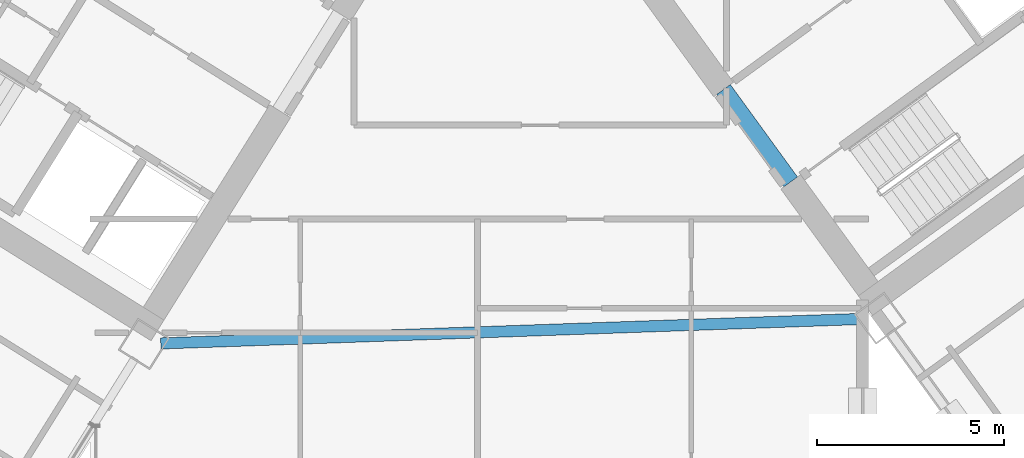
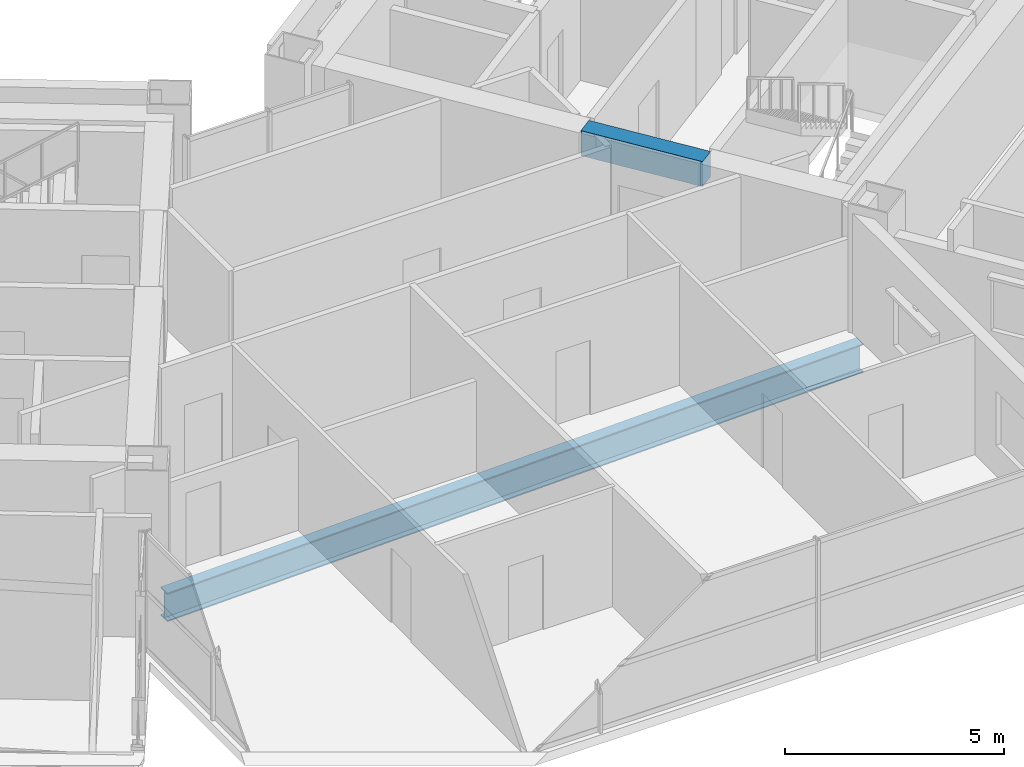
# One storey, part 8 of 25: 2 beams.
"""IFC4 building model written with IfcOpenShell, lengths in metres."""

from ifc_helpers import new_model, si_unit, direction, frame, origin, origin_2d, place, context, subcontext, project, spatial, rectangle, i_section, extrude, source, transform, mapped, material, material_profile, profile_set, type_object, element, save


model = new_model("IFC4")

# Units and contexts
model_context = context("Model", 3, precision=1e-05, world=origin(), true_north=direction((0.0, 1.0)))
body_context = subcontext(model_context, "Body", "Model", "MODEL_VIEW")
ifc_project = project(units=[si_unit("LENGTHUNIT", "METRE"), si_unit("AREAUNIT", "SQUARE_METRE"), si_unit("VOLUMEUNIT", "CUBIC_METRE"), si_unit("PLANEANGLEUNIT", "RADIAN"), si_unit("MASSUNIT", "GRAM", prefix="KILO")], contexts=[model_context])

# Site, building, storey
site_placement = place(None, origin())
site = spatial("IfcSite", under=ifc_project, at=site_placement, CompositionType="ELEMENT")
building_placement = place(site_placement, origin())
building = spatial("IfcBuilding", under=site, at=building_placement, Name="Tlacorven Tower", CompositionType="ELEMENT")
storey_placement = place(building_placement, frame((0.0, 0.0, 52.800048828125)))
storey = spatial("IfcBuildingStorey", under=building, at=storey_placement, Name="L13", CompositionType="ELEMENT", Elevation=52.800048828125)

# Beams
ifc_material_1 = material(Name="Concrete C60/75", Category="concrete")
ifc_material_profile_1 = material_profile(ifc_material_1, rectangle(XDim=0.449951171875, YDim=0.699951171875, at=origin_2d()), Name="RC 450X700")
ifc_profile_set_1 = profile_set([ifc_material_profile_1], Name="Concrete C60/75")
beam_type_1 = type_object("IfcBeamType", Name="BM-LNT-700", PredefinedType="LINTEL", material=ifc_profile_set_1)
shared_shape_1 = source(origin(), body_context, "Body", "SweptSolid", [
    extrude(rectangle(XDim=0.449951171875, YDim=0.699951171875, at=origin_2d()), origin(), (0.0, 0.0, 1.0), 3.050048828125),
])
beam_1_placement = place(storey_placement, frame((50.318359375, 16.416015625, 3.0), z_axis=(-0.587776590479, 0.80902328748, 0.0), x_axis=(-0.80902328748, -0.587776590479, 0.0)))
element("IfcBeam", 1, at=beam_1_placement, inside=storey, type_object=beam_type_1, Name="L13 E core coupling lintel beam E1", PredefinedType="LINTEL", context=body_context, shape_type="MappedRepresentation", body=[
    mapped(shared_shape_1, transform((0.0, 0.0, 0.0), scale=1.0)),
])
ifc_material_2 = material(Name="Steel S355J2", Category="steel")
ifc_material_profile_2 = material_profile(ifc_material_2, i_section(OverallWidth=0.300048828125, OverallDepth=0.800048828125, WebThickness=0.017578125, FlangeThickness=0.032958984375, at=origin_2d()), Name="HEB 800")
ifc_profile_set_2 = profile_set([ifc_material_profile_2], Name="Steel S355J2")
beam_type_2 = type_object("IfcBeamType", Name="BM-POD-800", PredefinedType="BEAM", material=ifc_profile_set_2)
shared_shape_2 = source(origin(), body_context, "Body", "SweptSolid", [
    extrude(i_section(OverallWidth=0.300048828125, OverallDepth=0.800048828125, WebThickness=0.017578125, FlangeThickness=0.032958984375, at=origin_2d()), origin(), (0.0, 0.0, 1.0), 18.771240234375),
])
beam_2_placement = place(storey_placement, frame((33.495849609375, 12.1025390625, -0.650146484375), z_axis=(0.999390514848, 0.034908434954, 0.0), x_axis=(-0.034908434954, 0.999390514848, 0.0)))
element("IfcBeam", 2, at=beam_2_placement, inside=storey, type_object=beam_type_2, Name="L13 Knuckle Link Girder 2", PredefinedType="BEAM", context=body_context, shape_type="MappedRepresentation", body=[
    mapped(shared_shape_2, transform((0.0, 0.0, 0.0), scale=1.0)),
])

save(model, "model.ifc")
